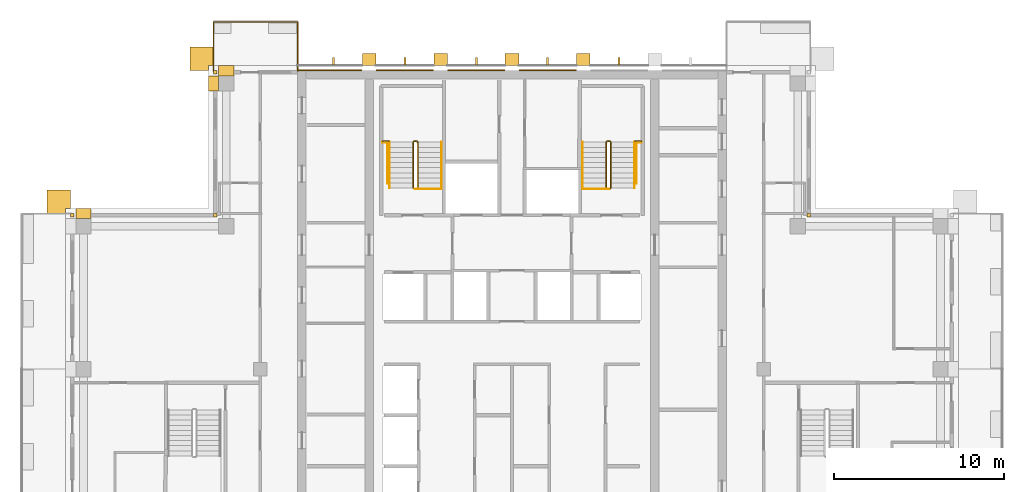
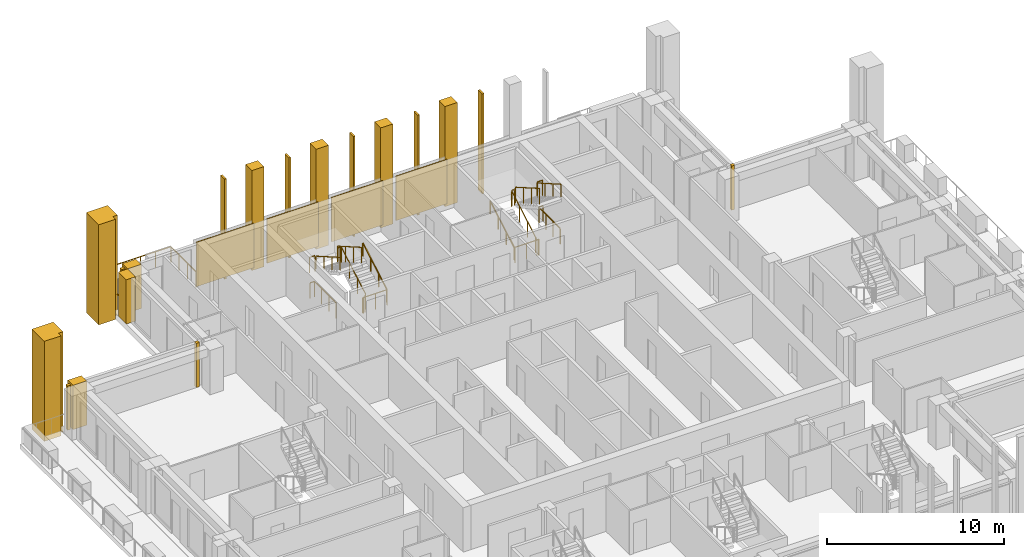
# One storey, part 15 of 16: 22 coverings, 13 railings.
"""IFC4 building model written with IfcOpenShell, lengths in metres."""

from ifc_helpers import new_model, si_unit, direction, frame, origin, origin_2d, place, context, subcontext, project, spatial, polyline, rectangle, outline, extrude, material, layer, layer_set, type_object, element, save


model = new_model("IFC4")

# Units and contexts
model_context = context("Model", 3, precision=1e-05, world=origin(), true_north=direction((0.0, 1.0)))
body_context = subcontext(model_context, "Body", "Model", "MODEL_VIEW")
ifc_project = project(units=[si_unit("LENGTHUNIT", "METRE"), si_unit("AREAUNIT", "SQUARE_METRE"), si_unit("VOLUMEUNIT", "CUBIC_METRE"), si_unit("PLANEANGLEUNIT", "RADIAN"), si_unit("MASSUNIT", "GRAM", prefix="KILO")], contexts=[model_context])

# Site, building, storey
site_placement = place(None, origin())
site = spatial("IfcSite", under=ifc_project, at=site_placement, CompositionType="ELEMENT")
building_placement = place(site_placement, origin())
building = spatial("IfcBuilding", under=site, at=building_placement, Name="Vermilion Ogive Tower", CompositionType="ELEMENT")
storey_placement = place(building_placement, frame((0.0, 0.0, 247.60009765625)))
storey = spatial("IfcBuildingStorey", under=building, at=storey_placement, Name="L65", CompositionType="ELEMENT", Elevation=247.60009765625)

# Railing
ifc_material_1 = material(Name="Stainless steel and glass", Category="steel")
railing_type_1 = type_object("IfcRailingType", Name="Balcony guard", PredefinedType="GUARDRAIL", material=ifc_material_1)
railing_1_placement = place(storey_placement, frame((-12.60009765625, 21.75, -0.0400390625)))
element("IfcRailing", 1, at=railing_1_placement, inside=storey, type_object=railing_type_1, Name="Guard N201", PredefinedType="GUARDRAIL", context=body_context, shape_type="SweptSolid", body=[
    extrude(rectangle(XDim=0.048095703125, YDim=0.048095703125, at=origin_2d()), frame((0.0, 0.0, 1.076171875), z_axis=(0.0, 1.0, 0.0), x_axis=(-1.0, 0.0, 0.0)), (0.0, 0.0, 1.0), 2.863525390625),
    extrude(rectangle(XDim=0.048095703125, YDim=0.048095703125, at=origin_2d()), frame((0.0, 2.863525390625, 1.076171875), z_axis=(-1.0, 0.0, 0.0), x_axis=(0.0, -1.0, 0.0)), (0.0, 0.0, 1.0), 4.949951171875),
    extrude(rectangle(XDim=0.048095703125, YDim=0.048095703125, at=origin_2d()), frame((-4.949951171875, 2.863525390625, 1.076171875), z_axis=(0.0, -1.0, 0.0), x_axis=(1.0, 0.0, 0.0)), (0.0, 0.0, 1.0), 2.863525390625),
    extrude(rectangle(XDim=0.0419921875, YDim=0.0419921875, at=origin_2d()), origin(), (0.0, 0.0, 1.0), 1.052001953125),
    extrude(rectangle(XDim=0.0419921875, YDim=0.0419921875, at=origin_2d()), frame((0.0, 0.95458984375, 0.0)), (0.0, 0.0, 1.0), 1.052001953125),
    extrude(rectangle(XDim=0.0419921875, YDim=0.0419921875, at=origin_2d()), frame((0.0, 1.908935546875, 0.0)), (0.0, 0.0, 1.0), 1.052001953125),
    extrude(rectangle(XDim=0.0419921875, YDim=0.0419921875, at=origin_2d()), frame((0.0, 2.863525390625, 0.0)), (0.0, 0.0, 1.0), 1.052001953125),
    extrude(rectangle(XDim=0.0419921875, YDim=0.0419921875, at=origin_2d()), frame((-0.989990234375, 2.863525390625, 0.0)), (0.0, 0.0, 1.0), 1.052001953125),
    extrude(rectangle(XDim=0.0419921875, YDim=0.0419921875, at=origin_2d()), frame((-1.97998046875, 2.863525390625, 0.0)), (0.0, 0.0, 1.0), 1.052001953125),
    extrude(rectangle(XDim=0.0419921875, YDim=0.0419921875, at=origin_2d()), frame((-2.969970703125, 2.863525390625, 0.0)), (0.0, 0.0, 1.0), 1.052001953125),
    extrude(rectangle(XDim=0.0419921875, YDim=0.0419921875, at=origin_2d()), frame((-3.9599609375, 2.863525390625, 0.0)), (0.0, 0.0, 1.0), 1.052001953125),
    extrude(rectangle(XDim=0.0419921875, YDim=0.0419921875, at=origin_2d()), frame((-4.949951171875, 2.863525390625, 0.0)), (0.0, 0.0, 1.0), 1.052001953125),
    extrude(rectangle(XDim=0.0419921875, YDim=0.0419921875, at=origin_2d()), frame((-4.949951171875, 1.908935546875, 0.0)), (0.0, 0.0, 1.0), 1.052001953125),
    extrude(rectangle(XDim=0.0419921875, YDim=0.0419921875, at=origin_2d()), frame((-4.949951171875, 0.95458984375, 0.0)), (0.0, 0.0, 1.0), 1.052001953125),
    extrude(rectangle(XDim=0.0419921875, YDim=0.0419921875, at=origin_2d()), frame((-4.949951171875, 0.0, 0.0)), (0.0, 0.0, 1.0), 1.052001953125),
])

# Coverings
ifc_material_2 = material(Name="Glazed ceramic screen")
ifc_layer = layer(ifc_material_2, 0.14990234375)
ifc_layer_set = layer_set([ifc_layer], Name="Ceramic solar screen fin")
covering_type_1 = type_object("IfcCoveringType", Name="Ceramic solar screen fin", PredefinedType="CLADDING", material=ifc_layer_set)
covering_1_placement = place(storey_placement, frame((0.0, 0.0, -0.400146484375)))
element("IfcCovering", 2, at=covering_1_placement, inside=storey, type_object=covering_type_1, Name="Solar screen blade N1", PredefinedType="CLADDING", context=body_context, shape_type="SweptSolid", body=[
    extrude(outline(polyline([(-10.56005859375, 22.08203125), (-10.43994140625, 22.08203125), (-10.43994140625, 22.531982421875), (-10.56005859375, 22.531982421875), (-10.56005859375, 22.08203125)])), origin(), (0.0, 0.0, 1.0), 6.900146484375),
])
covering_2_placement = place(storey_placement, frame((0.0, 0.0, -0.400146484375)))
element("IfcCovering", 3, at=covering_2_placement, inside=storey, type_object=covering_type_1, Name="Solar screen blade N2", PredefinedType="CLADDING", context=body_context, shape_type="SweptSolid", body=[
    extrude(outline(polyline([(-6.360107421875, 22.08203125), (-6.239990234375, 22.08203125), (-6.239990234375, 22.531982421875), (-6.360107421875, 22.531982421875), (-6.360107421875, 22.08203125)])), origin(), (0.0, 0.0, 1.0), 6.900146484375),
])
covering_3_placement = place(storey_placement, frame((0.0, 0.0, -0.400146484375)))
element("IfcCovering", 4, at=covering_3_placement, inside=storey, type_object=covering_type_1, Name="Solar screen blade N3", PredefinedType="CLADDING", context=body_context, shape_type="SweptSolid", body=[
    extrude(outline(polyline([(-2.159912109375, 22.08203125), (-2.0400390625, 22.08203125), (-2.0400390625, 22.531982421875), (-2.159912109375, 22.531982421875), (-2.159912109375, 22.08203125)])), origin(), (0.0, 0.0, 1.0), 6.900146484375),
])
covering_4_placement = place(storey_placement, frame((0.0, 0.0, -0.400146484375)))
element("IfcCovering", 5, at=covering_4_placement, inside=storey, type_object=covering_type_1, Name="Solar screen blade N4", PredefinedType="CLADDING", context=body_context, shape_type="SweptSolid", body=[
    extrude(outline(polyline([(2.0400390625, 22.08203125), (2.159912109375, 22.08203125), (2.159912109375, 22.531982421875), (2.0400390625, 22.531982421875), (2.0400390625, 22.08203125)])), origin(), (0.0, 0.0, 1.0), 6.900146484375),
])
covering_5_placement = place(storey_placement, frame((0.0, 0.0, -0.400146484375)))
element("IfcCovering", 6, at=covering_5_placement, inside=storey, type_object=covering_type_1, Name="Solar screen blade N5", PredefinedType="CLADDING", context=body_context, shape_type="SweptSolid", body=[
    extrude(outline(polyline([(6.239990234375, 22.08203125), (6.360107421875, 22.08203125), (6.360107421875, 22.531982421875), (6.239990234375, 22.531982421875), (6.239990234375, 22.08203125)])), origin(), (0.0, 0.0, 1.0), 6.900146484375),
])

# Railings
ifc_material_3 = material(Name="Steel S355 painted", Category="steel")
railing_type_2 = type_object("IfcRailingType", Name="Stair guard 1100", PredefinedType="GUARDRAIL", material=ifc_material_3)
railing_2_placement = place(storey_placement, frame((-5.75, 14.800048828125, 0.0)))
element("IfcRailing", 7, at=railing_2_placement, inside=storey, type_object=railing_type_2, Name="L65 ST1 stair guard 4", PredefinedType="GUARDRAIL", context=body_context, shape_type="SweptSolid", body=[
    extrude(rectangle(XDim=0.048095703125, YDim=0.048095703125, at=origin_2d()), frame((0.0, 0.0, 1.076171875), z_axis=(1.0, 0.0, 0.0), x_axis=(0.0, 1.0, 0.0)), (0.0, 0.0, 1.0), 0.14990234375),
    extrude(rectangle(XDim=0.048095703125, YDim=0.048095703125, at=origin_2d()), frame((0.14990234375, 0.0, 1.076171875), z_axis=(0.268603158521, 0.268603158521, 0.925043072762), x_axis=(-0.707106781187, 0.707106781187, 0.0)), (0.0, 0.0, 1.0), 0.186279296875),
    extrude(rectangle(XDim=0.048095703125, YDim=0.048095703125, at=origin_2d()), frame((0.199951171875, 0.050048828125, 1.24853515625), z_axis=(0.0, 0.866903762492, 0.498475542607), x_axis=(-1.0, 0.0, 0.0)), (0.0, 0.0, 1.0), 3.114501953125),
    extrude(rectangle(XDim=0.048095703125, YDim=0.048095703125, at=origin_2d()), frame((0.199951171875, 2.75, 2.80078125), z_axis=(-0.707106781187, 0.707106781187, 0.0), x_axis=(-0.707106781187, -0.707106781187, 0.0)), (0.0, 0.0, 1.0), 0.07080078125),
    extrude(rectangle(XDim=0.048095703125, YDim=0.048095703125, at=origin_2d()), frame((0.14990234375, 2.800048828125, 2.80078125), z_axis=(-1.0, 0.0, 0.0), x_axis=(0.0, -1.0, 0.0)), (0.0, 0.0, 1.0), 0.14990234375),
    extrude(rectangle(XDim=0.048095703125, YDim=0.048095703125, at=origin_2d()), frame((0.0, 2.800048828125, 2.80078125), z_axis=(-0.268277960024, -0.268277960024, 0.925231793839), x_axis=(0.707106781187, -0.707106781187, 0.0)), (0.0, 0.0, 1.0), 0.1865234375),
    extrude(rectangle(XDim=0.048095703125, YDim=0.048095703125, at=origin_2d()), frame((-0.050048828125, 2.75, 2.9736328125), z_axis=(0.0, -0.866903762492, 0.498475542607), x_axis=(1.0, 0.0, 0.0)), (0.0, 0.0, 1.0), 3.114501953125),
    extrude(rectangle(XDim=0.0419921875, YDim=0.0419921875, at=origin_2d()), origin(), (0.0, 0.0, 1.0), 1.052001953125),
    extrude(rectangle(XDim=0.0419921875, YDim=0.0419921875, at=origin_2d()), frame((0.14990234375, 0.0, 0.0)), (0.0, 0.0, 1.0), 1.052001953125),
    extrude(rectangle(XDim=0.0419921875, YDim=0.0419921875, at=origin_2d()), frame((0.199951171875, 0.050048828125, 0.17236328125)), (0.0, 0.0, 1.0), 1.052001953125),
    extrude(rectangle(XDim=0.0419921875, YDim=0.0419921875, at=origin_2d()), frame((0.199951171875, 0.949951171875, 0.68994140625)), (0.0, 0.0, 1.0), 1.052001953125),
    extrude(rectangle(XDim=0.0419921875, YDim=0.0419921875, at=origin_2d()), frame((0.199951171875, 1.85009765625, 1.207275390625)), (0.0, 0.0, 1.0), 1.052001953125),
    extrude(rectangle(XDim=0.0419921875, YDim=0.0419921875, at=origin_2d()), frame((0.199951171875, 2.75, 1.724853515625)), (0.0, 0.0, 1.0), 1.052001953125),
    extrude(rectangle(XDim=0.0419921875, YDim=0.0419921875, at=origin_2d()), frame((0.14990234375, 2.800048828125, 1.724853515625)), (0.0, 0.0, 1.0), 1.052001953125),
    extrude(rectangle(XDim=0.0419921875, YDim=0.0419921875, at=origin_2d()), frame((0.0, 2.800048828125, 1.724853515625)), (0.0, 0.0, 1.0), 1.052001953125),
    extrude(rectangle(XDim=0.0419921875, YDim=0.0419921875, at=origin_2d()), frame((-0.050048828125, 2.75, 1.8974609375)), (0.0, 0.0, 1.0), 1.052001953125),
    extrude(rectangle(XDim=0.0419921875, YDim=0.0419921875, at=origin_2d()), frame((-0.050048828125, 1.85009765625, 2.4150390625)), (0.0, 0.0, 1.0), 1.052001953125),
    extrude(rectangle(XDim=0.0419921875, YDim=0.0419921875, at=origin_2d()), frame((-0.050048828125, 0.949951171875, 2.932373046875)), (0.0, 0.0, 1.0), 1.052001953125),
    extrude(rectangle(XDim=0.0419921875, YDim=0.0419921875, at=origin_2d()), frame((-0.050048828125, 0.050048828125, 3.449951171875)), (0.0, 0.0, 1.0), 1.052001953125),
])
railing_3_placement = place(storey_placement, frame((5.75, 14.800048828125, 0.0)))
element("IfcRailing", 8, at=railing_3_placement, inside=storey, type_object=railing_type_2, Name="L65 ST2 stair guard 4", PredefinedType="GUARDRAIL", context=body_context, shape_type="SweptSolid", body=[
    extrude(rectangle(XDim=0.048095703125, YDim=0.048095703125, at=origin_2d()), frame((0.0, 0.0, 1.076171875), z_axis=(-1.0, 0.0, 0.0), x_axis=(0.0, -1.0, 0.0)), (0.0, 0.0, 1.0), 0.14990234375),
    extrude(rectangle(XDim=0.048095703125, YDim=0.048095703125, at=origin_2d()), frame((-0.14990234375, 0.0, 1.076171875), z_axis=(-0.268603158521, 0.268603158521, 0.925043072762), x_axis=(-0.707106781187, -0.707106781187, 0.0)), (0.0, 0.0, 1.0), 0.186279296875),
    extrude(rectangle(XDim=0.048095703125, YDim=0.048095703125, at=origin_2d()), frame((-0.199951171875, 0.050048828125, 1.24853515625), z_axis=(0.0, 0.866903762492, 0.498475542607), x_axis=(-1.0, 0.0, 0.0)), (0.0, 0.0, 1.0), 3.114501953125),
    extrude(rectangle(XDim=0.048095703125, YDim=0.048095703125, at=origin_2d()), frame((-0.199951171875, 2.75, 2.80078125), z_axis=(0.707106781187, 0.707106781187, 0.0), x_axis=(-0.707106781187, 0.707106781187, 0.0)), (0.0, 0.0, 1.0), 0.07080078125),
    extrude(rectangle(XDim=0.048095703125, YDim=0.048095703125, at=origin_2d()), frame((-0.14990234375, 2.800048828125, 2.80078125), z_axis=(1.0, 0.0, 0.0), x_axis=(0.0, 1.0, 0.0)), (0.0, 0.0, 1.0), 0.14990234375),
    extrude(rectangle(XDim=0.048095703125, YDim=0.048095703125, at=origin_2d()), frame((0.0, 2.800048828125, 2.80078125), z_axis=(0.268277960024, -0.268277960024, 0.925231793839), x_axis=(0.707106781187, 0.707106781187, 0.0)), (0.0, 0.0, 1.0), 0.1865234375),
    extrude(rectangle(XDim=0.048095703125, YDim=0.048095703125, at=origin_2d()), frame((0.050048828125, 2.75, 2.9736328125), z_axis=(0.0, -0.866903762492, 0.498475542607), x_axis=(1.0, 0.0, 0.0)), (0.0, 0.0, 1.0), 3.114501953125),
    extrude(rectangle(XDim=0.0419921875, YDim=0.0419921875, at=origin_2d()), origin(), (0.0, 0.0, 1.0), 1.052001953125),
    extrude(rectangle(XDim=0.0419921875, YDim=0.0419921875, at=origin_2d()), frame((-0.14990234375, 0.0, 0.0)), (0.0, 0.0, 1.0), 1.052001953125),
    extrude(rectangle(XDim=0.0419921875, YDim=0.0419921875, at=origin_2d()), frame((-0.199951171875, 0.050048828125, 0.17236328125)), (0.0, 0.0, 1.0), 1.052001953125),
    extrude(rectangle(XDim=0.0419921875, YDim=0.0419921875, at=origin_2d()), frame((-0.199951171875, 0.949951171875, 0.68994140625)), (0.0, 0.0, 1.0), 1.052001953125),
    extrude(rectangle(XDim=0.0419921875, YDim=0.0419921875, at=origin_2d()), frame((-0.199951171875, 1.85009765625, 1.207275390625)), (0.0, 0.0, 1.0), 1.052001953125),
    extrude(rectangle(XDim=0.0419921875, YDim=0.0419921875, at=origin_2d()), frame((-0.199951171875, 2.75, 1.724853515625)), (0.0, 0.0, 1.0), 1.052001953125),
    extrude(rectangle(XDim=0.0419921875, YDim=0.0419921875, at=origin_2d()), frame((-0.14990234375, 2.800048828125, 1.724853515625)), (0.0, 0.0, 1.0), 1.052001953125),
    extrude(rectangle(XDim=0.0419921875, YDim=0.0419921875, at=origin_2d()), frame((0.0, 2.800048828125, 1.724853515625)), (0.0, 0.0, 1.0), 1.052001953125),
    extrude(rectangle(XDim=0.0419921875, YDim=0.0419921875, at=origin_2d()), frame((0.050048828125, 2.75, 1.8974609375)), (0.0, 0.0, 1.0), 1.052001953125),
    extrude(rectangle(XDim=0.0419921875, YDim=0.0419921875, at=origin_2d()), frame((0.050048828125, 1.85009765625, 2.4150390625)), (0.0, 0.0, 1.0), 1.052001953125),
    extrude(rectangle(XDim=0.0419921875, YDim=0.0419921875, at=origin_2d()), frame((0.050048828125, 0.949951171875, 2.932373046875)), (0.0, 0.0, 1.0), 1.052001953125),
    extrude(rectangle(XDim=0.0419921875, YDim=0.0419921875, at=origin_2d()), frame((0.050048828125, 0.050048828125, 3.449951171875)), (0.0, 0.0, 1.0), 1.052001953125),
])
for number, where, name in (
    (9, (-7.60009765625, 17.60009765625, 1.724853515625), "L65 landing guard"),
    (10, (7.25, 17.60009765625, 1.724853515625), "L65 landing guard"),
):
    element("IfcRailing", number, at=place(storey_placement, frame(where)), inside=storey, type_object=railing_type_2, Name=name, PredefinedType="GUARDRAIL", context=body_context, shape_type="SweptSolid", body=[
        extrude(rectangle(XDim=0.048095703125, YDim=0.048095703125, at=origin_2d()), frame((0.0, 0.0, 1.076171875), z_axis=(1.0, 0.0, 0.0), x_axis=(0.0, 1.0, 0.0)), (0.0, 0.0, 1.0), 0.35009765625),
        extrude(rectangle(XDim=0.0419921875, YDim=0.0419921875, at=origin_2d()), origin(), (0.0, 0.0, 1.0), 1.052001953125),
        extrude(rectangle(XDim=0.0419921875, YDim=0.0419921875, at=origin_2d()), frame((0.35009765625, 0.0, 0.0)), (0.0, 0.0, 1.0), 1.052001953125),
    ])
railing_4_placement = place(storey_placement, frame((-4.159912109375, 14.7900390625, 0.0)))
element("IfcRailing", 11, at=railing_4_placement, inside=storey, type_object=railing_type_2, Name="L65 stair opening guard", PredefinedType="GUARDRAIL", context=body_context, shape_type="SweptSolid", body=[
    extrude(rectangle(XDim=0.048095703125, YDim=0.048095703125, at=origin_2d()), frame((0.0, 0.0, 1.076171875), z_axis=(-1.0, 0.0, 0.0), x_axis=(0.0, -1.0, 0.0)), (0.0, 0.0, 1.0), 1.5400390625),
    extrude(rectangle(XDim=0.0419921875, YDim=0.0419921875, at=origin_2d()), origin(), (0.0, 0.0, 1.0), 1.052001953125),
    extrude(rectangle(XDim=0.0419921875, YDim=0.0419921875, at=origin_2d()), frame((-0.77001953125, 0.0, 0.0)), (0.0, 0.0, 1.0), 1.052001953125),
    extrude(rectangle(XDim=0.0419921875, YDim=0.0419921875, at=origin_2d()), frame((-1.5400390625, 0.0, 0.0)), (0.0, 0.0, 1.0), 1.052001953125),
])
railing_5_placement = place(storey_placement, frame((-7.3095703125, 15.11865234375, 0.0)))
element("IfcRailing", 12, at=railing_5_placement, inside=storey, type_object=railing_type_2, Name="L65 stair opening guard", PredefinedType="GUARDRAIL", context=body_context, shape_type="SweptSolid", body=[
    extrude(rectangle(XDim=0.048095703125, YDim=0.048095703125, at=origin_2d()), frame((0.0, 0.0, 1.076171875), z_axis=(0.0, 1.0, 0.0), x_axis=(-1.0, 0.0, 0.0)), (0.0, 0.0, 1.0), 2.42431640625),
    extrude(rectangle(XDim=0.048095703125, YDim=0.048095703125, at=origin_2d()), frame((0.0, 2.42431640625, 1.076171875), z_axis=(-1.0, 0.0, 0.0), x_axis=(0.0, -1.0, 0.0)), (0.0, 0.0, 1.0), 0.2900390625),
    extrude(rectangle(XDim=0.0419921875, YDim=0.0419921875, at=origin_2d()), origin(), (0.0, 0.0, 1.0), 1.052001953125),
    extrude(rectangle(XDim=0.0419921875, YDim=0.0419921875, at=origin_2d()), frame((0.0, 0.80810546875, 0.0)), (0.0, 0.0, 1.0), 1.052001953125),
    extrude(rectangle(XDim=0.0419921875, YDim=0.0419921875, at=origin_2d()), frame((0.0, 1.6162109375, 0.0)), (0.0, 0.0, 1.0), 1.052001953125),
    extrude(rectangle(XDim=0.0419921875, YDim=0.0419921875, at=origin_2d()), frame((0.0, 2.42431640625, 0.0)), (0.0, 0.0, 1.0), 1.052001953125),
    extrude(rectangle(XDim=0.0419921875, YDim=0.0419921875, at=origin_2d()), frame((-0.2900390625, 2.42431640625, 0.0)), (0.0, 0.0, 1.0), 1.052001953125),
])
railing_6_placement = place(storey_placement, frame((7.599609375, 17.54296875, 0.0)))
element("IfcRailing", 13, at=railing_6_placement, inside=storey, type_object=railing_type_2, Name="L65 stair opening guard", PredefinedType="GUARDRAIL", context=body_context, shape_type="SweptSolid", body=[
    extrude(rectangle(XDim=0.048095703125, YDim=0.048095703125, at=origin_2d()), frame((0.0, 0.0, 1.076171875), z_axis=(-1.0, 0.0, 0.0), x_axis=(0.0, -1.0, 0.0)), (0.0, 0.0, 1.0), 0.2900390625),
    extrude(rectangle(XDim=0.048095703125, YDim=0.048095703125, at=origin_2d()), frame((-0.2900390625, 0.0, 1.076171875), z_axis=(0.0, -1.0, 0.0), x_axis=(1.0, 0.0, 0.0)), (0.0, 0.0, 1.0), 2.42431640625),
    extrude(rectangle(XDim=0.0419921875, YDim=0.0419921875, at=origin_2d()), origin(), (0.0, 0.0, 1.0), 1.052001953125),
    extrude(rectangle(XDim=0.0419921875, YDim=0.0419921875, at=origin_2d()), frame((-0.2900390625, 0.0, 0.0)), (0.0, 0.0, 1.0), 1.052001953125),
    extrude(rectangle(XDim=0.0419921875, YDim=0.0419921875, at=origin_2d()), frame((-0.2900390625, -0.80810546875, 0.0)), (0.0, 0.0, 1.0), 1.052001953125),
    extrude(rectangle(XDim=0.0419921875, YDim=0.0419921875, at=origin_2d()), frame((-0.2900390625, -1.6162109375, 0.0)), (0.0, 0.0, 1.0), 1.052001953125),
    extrude(rectangle(XDim=0.0419921875, YDim=0.0419921875, at=origin_2d()), frame((-0.2900390625, -2.42431640625, 0.0)), (0.0, 0.0, 1.0), 1.052001953125),
])
railing_7_placement = place(storey_placement, frame((5.699951171875, 14.7900390625, 0.0)))
element("IfcRailing", 14, at=railing_7_placement, inside=storey, type_object=railing_type_2, Name="L65 stair opening guard", PredefinedType="GUARDRAIL", context=body_context, shape_type="SweptSolid", body=[
    extrude(rectangle(XDim=0.048095703125, YDim=0.048095703125, at=origin_2d()), frame((0.0, 0.0, 1.076171875), z_axis=(-1.0, 0.0, 0.0), x_axis=(0.0, -1.0, 0.0)), (0.0, 0.0, 1.0), 1.5400390625),
    extrude(rectangle(XDim=0.0419921875, YDim=0.0419921875, at=origin_2d()), origin(), (0.0, 0.0, 1.0), 1.052001953125),
    extrude(rectangle(XDim=0.0419921875, YDim=0.0419921875, at=origin_2d()), frame((-0.77001953125, 0.0, 0.0)), (0.0, 0.0, 1.0), 1.052001953125),
    extrude(rectangle(XDim=0.0419921875, YDim=0.0419921875, at=origin_2d()), frame((-1.5400390625, 0.0, 0.0)), (0.0, 0.0, 1.0), 1.052001953125),
])
ifc_material_4 = material(Name="Stainless steel", Category="steel")
railing_type_3 = type_object("IfcRailingType", Name="Stair handrail 900", PredefinedType="HANDRAIL", material=ifc_material_4)
railing_8_placement = place(storey_placement, frame((-4.14990234375, 14.85009765625, 0.17236328125)))
element("IfcRailing", 15, at=railing_8_placement, inside=storey, type_object=railing_type_3, Name="L65 ST1 stair handrail 1", PredefinedType="HANDRAIL", context=body_context, shape_type="SweptSolid", body=[
    extrude(rectangle(XDim=0.048095703125, YDim=0.048095703125, at=origin_2d()), frame((0.0, 0.0, 0.8759765625), z_axis=(0.0, 0.866903762492, 0.498475542607), x_axis=(-1.0, 0.0, 0.0)), (0.0, 0.0, 1.0), 3.114501953125),
    extrude(rectangle(XDim=0.0419921875, YDim=0.0419921875, at=origin_2d()), origin(), (0.0, 0.0, 1.0), 0.851806640625),
    extrude(rectangle(XDim=0.0419921875, YDim=0.0419921875, at=origin_2d()), frame((0.0, 0.89990234375, 0.517578125)), (0.0, 0.0, 1.0), 0.851806640625),
    extrude(rectangle(XDim=0.0419921875, YDim=0.0419921875, at=origin_2d()), frame((0.0, 1.800048828125, 1.034912109375)), (0.0, 0.0, 1.0), 0.851806640625),
    extrude(rectangle(XDim=0.0419921875, YDim=0.0419921875, at=origin_2d()), frame((0.0, 2.699951171875, 1.552490234375)), (0.0, 0.0, 1.0), 0.851806640625),
])
railing_9_placement = place(storey_placement, frame((-7.199951171875, 17.550048828125, 1.8974609375)))
element("IfcRailing", 16, at=railing_9_placement, inside=storey, type_object=railing_type_3, Name="L65 ST1 stair handrail 2", PredefinedType="HANDRAIL", context=body_context, shape_type="SweptSolid", body=[
    extrude(rectangle(XDim=0.048095703125, YDim=0.048095703125, at=origin_2d()), frame((0.0, 0.0, 0.8759765625), z_axis=(0.0, -0.866903762492, 0.498475542607), x_axis=(1.0, 0.0, 0.0)), (0.0, 0.0, 1.0), 3.114501953125),
    extrude(rectangle(XDim=0.0419921875, YDim=0.0419921875, at=origin_2d()), origin(), (0.0, 0.0, 1.0), 0.851806640625),
    extrude(rectangle(XDim=0.0419921875, YDim=0.0419921875, at=origin_2d()), frame((0.0, -0.89990234375, 0.517578125)), (0.0, 0.0, 1.0), 0.851806640625),
    extrude(rectangle(XDim=0.0419921875, YDim=0.0419921875, at=origin_2d()), frame((0.0, -1.800048828125, 1.034912109375)), (0.0, 0.0, 1.0), 0.851806640625),
    extrude(rectangle(XDim=0.0419921875, YDim=0.0419921875, at=origin_2d()), frame((0.0, -2.699951171875, 1.552490234375)), (0.0, 0.0, 1.0), 0.851806640625),
])
railing_10_placement = place(storey_placement, frame((4.14990234375, 14.85009765625, 0.17236328125)))
element("IfcRailing", 17, at=railing_10_placement, inside=storey, type_object=railing_type_3, Name="L65 ST2 stair handrail 1", PredefinedType="HANDRAIL", context=body_context, shape_type="SweptSolid", body=[
    extrude(rectangle(XDim=0.048095703125, YDim=0.048095703125, at=origin_2d()), frame((0.0, 0.0, 0.8759765625), z_axis=(0.0, 0.866903762492, 0.498475542607), x_axis=(-1.0, 0.0, 0.0)), (0.0, 0.0, 1.0), 3.114501953125),
    extrude(rectangle(XDim=0.0419921875, YDim=0.0419921875, at=origin_2d()), origin(), (0.0, 0.0, 1.0), 0.851806640625),
    extrude(rectangle(XDim=0.0419921875, YDim=0.0419921875, at=origin_2d()), frame((0.0, 0.89990234375, 0.517578125)), (0.0, 0.0, 1.0), 0.851806640625),
    extrude(rectangle(XDim=0.0419921875, YDim=0.0419921875, at=origin_2d()), frame((0.0, 1.800048828125, 1.034912109375)), (0.0, 0.0, 1.0), 0.851806640625),
    extrude(rectangle(XDim=0.0419921875, YDim=0.0419921875, at=origin_2d()), frame((0.0, 2.699951171875, 1.552490234375)), (0.0, 0.0, 1.0), 0.851806640625),
])
railing_11_placement = place(storey_placement, frame((7.199951171875, 17.550048828125, 1.8974609375)))
element("IfcRailing", 18, at=railing_11_placement, inside=storey, type_object=railing_type_3, Name="L65 ST2 stair handrail 2", PredefinedType="HANDRAIL", context=body_context, shape_type="SweptSolid", body=[
    extrude(rectangle(XDim=0.048095703125, YDim=0.048095703125, at=origin_2d()), frame((0.0, 0.0, 0.8759765625), z_axis=(0.0, -0.866903762492, 0.498475542607), x_axis=(1.0, 0.0, 0.0)), (0.0, 0.0, 1.0), 3.114501953125),
    extrude(rectangle(XDim=0.0419921875, YDim=0.0419921875, at=origin_2d()), origin(), (0.0, 0.0, 1.0), 0.851806640625),
    extrude(rectangle(XDim=0.0419921875, YDim=0.0419921875, at=origin_2d()), frame((0.0, -0.89990234375, 0.517578125)), (0.0, 0.0, 1.0), 0.851806640625),
    extrude(rectangle(XDim=0.0419921875, YDim=0.0419921875, at=origin_2d()), frame((0.0, -1.800048828125, 1.034912109375)), (0.0, 0.0, 1.0), 0.851806640625),
    extrude(rectangle(XDim=0.0419921875, YDim=0.0419921875, at=origin_2d()), frame((0.0, -2.699951171875, 1.552490234375)), (0.0, 0.0, 1.0), 0.851806640625),
])

# Coverings
ifc_material_5 = material(Name="Stone cladding", Category="masonry")
covering_type_2 = type_object("IfcCoveringType", Name="Stone buttress pier", PredefinedType="CLADDING", material=ifc_material_5)
covering_6_placement = place(storey_placement, frame((0.0, 0.0, -0.400146484375)))
element("IfcCovering", 19, at=covering_6_placement, inside=storey, type_object=covering_type_2, Name="Stone buttress pier N1", PredefinedType="CLADDING", context=body_context, shape_type="SweptSolid", body=[
    extrude(outline(polyline([(-8.0, 22.75), (-8.0, 22.050048828125), (-8.800048828125, 22.050048828125), (-8.800048828125, 22.75), (-8.0, 22.75)])), origin(), (0.0, 0.0, 1.0), 6.900146484375),
])
covering_7_placement = place(storey_placement, frame((0.0, 0.0, -0.400146484375)))
element("IfcCovering", 20, at=covering_7_placement, inside=storey, type_object=covering_type_2, Name="Stone buttress pier N2", PredefinedType="CLADDING", context=body_context, shape_type="SweptSolid", body=[
    extrude(outline(polyline([(-3.800048828125, 22.75), (-3.800048828125, 22.050048828125), (-4.60009765625, 22.050048828125), (-4.60009765625, 22.75), (-3.800048828125, 22.75)])), origin(), (0.0, 0.0, 1.0), 6.900146484375),
])
covering_8_placement = place(storey_placement, frame((0.0, 0.0, -0.400146484375)))
element("IfcCovering", 21, at=covering_8_placement, inside=storey, type_object=covering_type_2, Name="Stone buttress pier N3", PredefinedType="CLADDING", context=body_context, shape_type="SweptSolid", body=[
    extrude(outline(polyline([(0.39990234375, 22.75), (0.39990234375, 22.050048828125), (-0.39990234375, 22.050048828125), (-0.39990234375, 22.75), (0.39990234375, 22.75)])), origin(), (0.0, 0.0, 1.0), 6.900146484375),
])
covering_9_placement = place(storey_placement, frame((0.0, 0.0, -0.400146484375)))
element("IfcCovering", 22, at=covering_9_placement, inside=storey, type_object=covering_type_2, Name="Stone buttress pier N4", PredefinedType="CLADDING", context=body_context, shape_type="SweptSolid", body=[
    extrude(outline(polyline([(4.60009765625, 22.75), (4.60009765625, 22.050048828125), (3.800048828125, 22.050048828125), (3.800048828125, 22.75), (4.60009765625, 22.75)])), origin(), (0.0, 0.0, 1.0), 6.900146484375),
])
ifc_material_6 = material(Name="Stone cladding", Category="masonry")
covering_type_3 = type_object("IfcCoveringType", Name="Stone cladding panel", PredefinedType="CLADDING", material=ifc_material_6)
covering_10_placement = place(storey_placement, origin())
element("IfcCovering", 23, at=covering_10_placement, inside=storey, type_object=covering_type_3, Name="Stone cladding panel N1", PredefinedType="CLADDING", context=body_context, shape_type="SweptSolid", body=[
    extrude(outline(polyline([(-12.590087890625, 21.75), (-8.830078125, 21.75), (-8.830078125, 21.81005859375), (-12.590087890625, 21.81005859375), (-12.590087890625, 21.75)])), origin(), (0.0, 0.0, 1.0), 3.0498046875),
])
covering_11_placement = place(storey_placement, origin())
element("IfcCovering", 24, at=covering_11_placement, inside=storey, type_object=covering_type_3, Name="Stone cladding panel N2", PredefinedType="CLADDING", context=body_context, shape_type="SweptSolid", body=[
    extrude(outline(polyline([(-7.969970703125, 21.75), (-4.6298828125, 21.75), (-4.6298828125, 21.81005859375), (-7.969970703125, 21.81005859375), (-7.969970703125, 21.75)])), origin(), (0.0, 0.0, 1.0), 3.0498046875),
])
covering_12_placement = place(storey_placement, origin())
element("IfcCovering", 25, at=covering_12_placement, inside=storey, type_object=covering_type_3, Name="Stone cladding panel N3", PredefinedType="CLADDING", context=body_context, shape_type="SweptSolid", body=[
    extrude(outline(polyline([(-3.77001953125, 21.75), (-0.429931640625, 21.75), (-0.429931640625, 21.81005859375), (-3.77001953125, 21.81005859375), (-3.77001953125, 21.75)])), origin(), (0.0, 0.0, 1.0), 3.0498046875),
])
covering_13_placement = place(storey_placement, origin())
element("IfcCovering", 26, at=covering_13_placement, inside=storey, type_object=covering_type_3, Name="Stone cladding panel N4", PredefinedType="CLADDING", context=body_context, shape_type="SweptSolid", body=[
    extrude(outline(polyline([(0.429931640625, 21.75), (3.77001953125, 21.75), (3.77001953125, 21.81005859375), (0.429931640625, 21.81005859375), (0.429931640625, 21.75)])), origin(), (0.0, 0.0, 1.0), 3.0498046875),
])
ifc_material_7 = material(Name="Stone cladding", Category="masonry")
covering_type_4 = type_object("IfcCoveringType", Name="Stone corner buttress", PredefinedType="CLADDING", material=ifc_material_7)
covering_14_placement = place(storey_placement, frame((0.0, 0.0, -0.400146484375)))
element("IfcCovering", 27, at=covering_14_placement, inside=storey, type_object=covering_type_4, Name="Stone corner buttress X51", PredefinedType="CLADDING", context=body_context, shape_type="SweptSolid", body=[
    extrude(outline(polyline([(-17.550048828125, 23.14990234375), (-17.550048828125, 22.050048828125), (-17.85009765625, 22.050048828125), (-17.85009765625, 21.75), (-18.949951171875, 21.75), (-18.949951171875, 23.14990234375), (-17.550048828125, 23.14990234375)])), origin(), (0.0, 0.0, 1.0), 6.900146484375),
])
covering_15_placement = place(storey_placement, frame((0.0, 0.0, -0.400146484375)))
element("IfcCovering", 28, at=covering_15_placement, inside=storey, type_object=covering_type_4, Name="Stone corner buttress W1", PredefinedType="CLADDING", context=body_context, shape_type="SweptSolid", body=[
    extrude(outline(polyline([(-26.25, 13.64990234375), (-26.25, 13.35009765625), (-27.35009765625, 13.35009765625), (-27.35009765625, 14.75), (-25.949951171875, 14.75), (-25.949951171875, 13.64990234375), (-26.25, 13.64990234375)])), origin(), (0.0, 0.0, 1.0), 6.900146484375),
])
ifc_material_8 = material(Name="Stone cladding", Category="masonry")
covering_type_5 = type_object("IfcCoveringType", Name="Stone pier", PredefinedType="CLADDING", material=ifc_material_8)
covering_16_placement = place(storey_placement, origin())
element("IfcCovering", 29, at=covering_16_placement, inside=storey, type_object=covering_type_5, Name="Stone corner pier X3E1", PredefinedType="CLADDING", context=body_context, shape_type="SweptSolid", body=[
    extrude(outline(polyline([(17.35009765625, 13.14990234375), (17.35009765625, 13.35009765625), (17.550048828125, 13.35009765625), (17.550048828125, 13.14990234375), (17.35009765625, 13.14990234375)])), origin(), (0.0, 0.0, 1.0), 3.0498046875),
])
covering_17_placement = place(storey_placement, origin())
element("IfcCovering", 30, at=covering_17_placement, inside=storey, type_object=covering_type_5, Name="Stone corner pier N2E1", PredefinedType="CLADDING", context=body_context, shape_type="SweptSolid", body=[
    extrude(outline(polyline([(-17.35009765625, 21.550048828125), (-17.550048828125, 21.550048828125), (-17.550048828125, 21.75), (-17.35009765625, 21.75), (-17.35009765625, 21.550048828125)])), origin(), (0.0, 0.0, 1.0), 3.0498046875),
])
covering_18_placement = place(storey_placement, origin())
element("IfcCovering", 31, at=covering_18_placement, inside=storey, type_object=covering_type_5, Name="Stone corner pier X5E1", PredefinedType="CLADDING", context=body_context, shape_type="SweptSolid", body=[
    extrude(outline(polyline([(-17.35009765625, 13.14990234375), (-17.550048828125, 13.14990234375), (-17.550048828125, 13.35009765625), (-17.35009765625, 13.35009765625), (-17.35009765625, 13.14990234375)])), origin(), (0.0, 0.0, 1.0), 3.0498046875),
])
covering_19_placement = place(storey_placement, origin())
element("IfcCovering", 32, at=covering_19_placement, inside=storey, type_object=covering_type_5, Name="Stone corner pier X6E1", PredefinedType="CLADDING", context=body_context, shape_type="SweptSolid", body=[
    extrude(outline(polyline([(-25.75, 13.14990234375), (-25.949951171875, 13.14990234375), (-25.949951171875, 13.35009765625), (-25.75, 13.35009765625), (-25.75, 13.14990234375)])), origin(), (0.0, 0.0, 1.0), 3.0498046875),
])
covering_20_placement = place(storey_placement, origin())
element("IfcCovering", 33, at=covering_20_placement, inside=storey, type_object=covering_type_5, Name="Stone pier P-0168+210N2", PredefinedType="CLADDING", context=body_context, shape_type="SweptSolid", body=[
    extrude(outline(polyline([(-17.25, 21.449951171875), (-17.25, 22.050048828125), (-16.35009765625, 22.050048828125), (-16.35009765625, 21.449951171875), (-17.25, 21.449951171875), (-17.25, 21.449951171875)])), origin(), (0.0, 0.0, 1.0), 3.0498046875),
])
covering_21_placement = place(storey_placement, origin())
element("IfcCovering", 34, at=covering_21_placement, inside=storey, type_object=covering_type_5, Name="Stone pier P-0168+210X5", PredefinedType="CLADDING", context=body_context, shape_type="SweptSolid", body=[
    extrude(outline(polyline([(-17.85009765625, 21.449951171875), (-17.25, 21.449951171875), (-17.25, 21.449951171875), (-17.25, 20.550048828125), (-17.85009765625, 20.550048828125), (-17.85009765625, 21.449951171875)])), origin(), (0.0, 0.0, 1.0), 3.0498046875),
])
covering_22_placement = place(storey_placement, origin())
element("IfcCovering", 35, at=covering_22_placement, inside=storey, type_object=covering_type_5, Name="Stone pier P-0252+126X6", PredefinedType="CLADDING", context=body_context, shape_type="SweptSolid", body=[
    extrude(outline(polyline([(-25.64990234375, 13.050048828125), (-25.64990234375, 13.64990234375), (-24.75, 13.64990234375), (-24.75, 13.050048828125), (-24.75, 13.050048828125), (-25.64990234375, 13.050048828125)])), origin(), (0.0, 0.0, 1.0), 3.0498046875),
])

save(model, "model.ifc")
